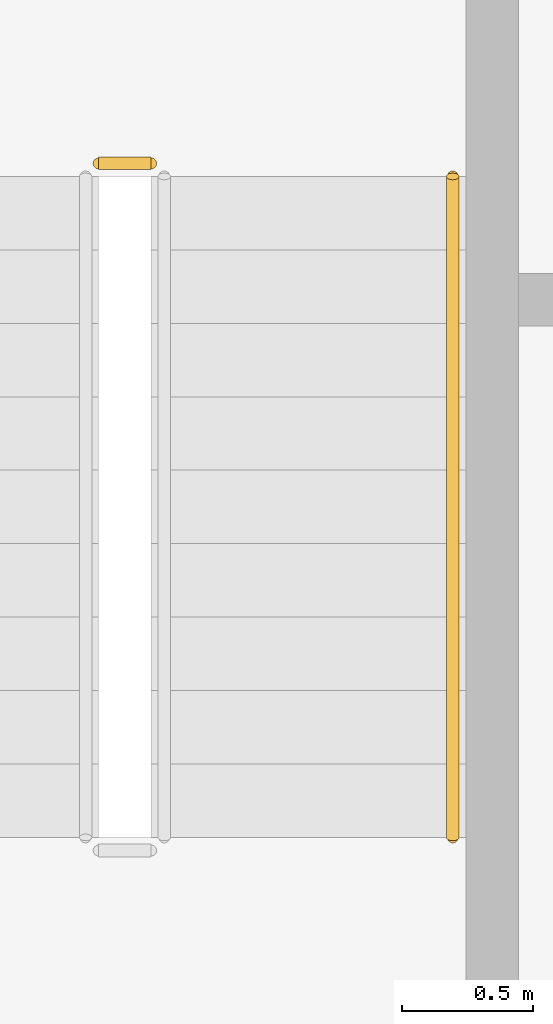
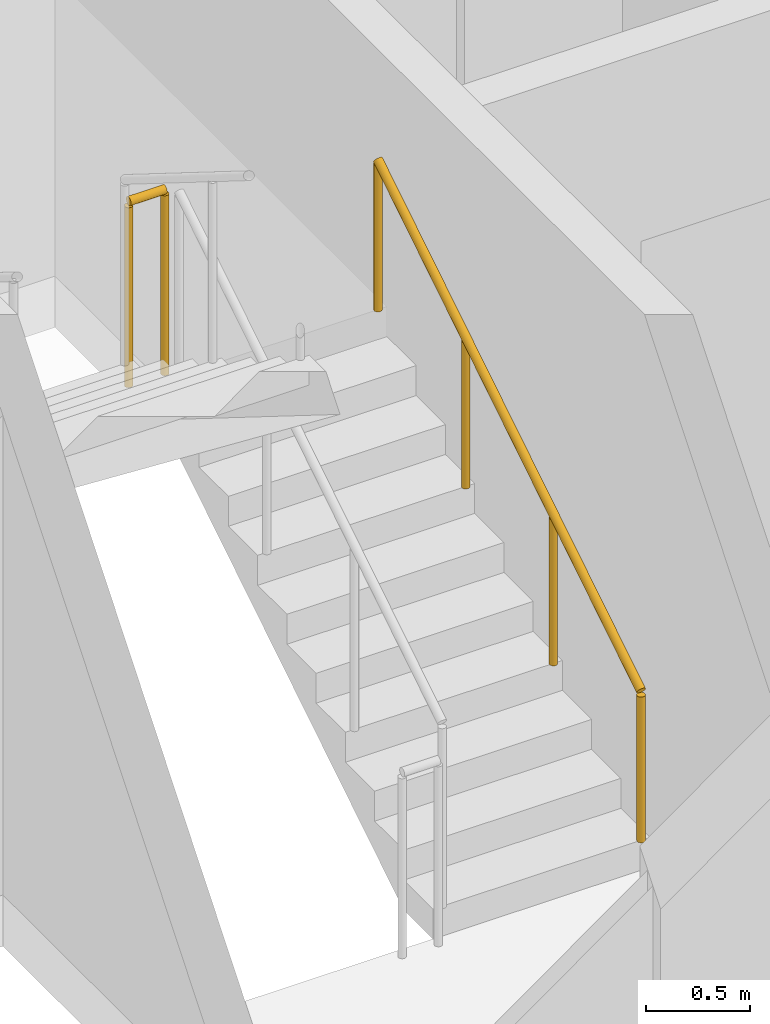
# One storey, part 17 of 22: 2 railings.
"""IFC4 building model written with IfcOpenShell, lengths in metres."""

from ifc_helpers import new_model, si_unit, direction, frame, origin, origin_2d, place, context, subcontext, project, spatial, circle, extrude, material, type_object, element, save


model = new_model("IFC4")

# Units and contexts
model_context = context("Model", 3, precision=1e-05, world=origin(), true_north=direction((0.0, 1.0)))
body_context = subcontext(model_context, "Body", "Model", "MODEL_VIEW")
ifc_project = project(units=[si_unit("LENGTHUNIT", "METRE"), si_unit("AREAUNIT", "SQUARE_METRE"), si_unit("VOLUMEUNIT", "CUBIC_METRE"), si_unit("PLANEANGLEUNIT", "RADIAN"), si_unit("MASSUNIT", "GRAM", prefix="KILO")], contexts=[model_context])

# Site, building, storey
site_placement = place(None, origin())
site = spatial("IfcSite", under=ifc_project, at=site_placement, CompositionType="ELEMENT")
building_placement = place(site_placement, origin())
building = spatial("IfcBuilding", under=site, at=building_placement, Name="Kiln Ring Residences", CompositionType="ELEMENT")
storey_placement = place(building_placement, frame((0.0, 0.0, 146.60009765625)))
storey = spatial("IfcBuildingStorey", under=building, at=storey_placement, Name="L37", CompositionType="ELEMENT", Elevation=146.60009765625)

# Railings
ifc_material_1 = material(Name="Stainless steel", Category="steel")
railing_type_1 = type_object("IfcRailingType", Name="CORE-STAIR-GUARD", PredefinedType="GUARDRAIL", material=ifc_material_1)
railing_1_placement = place(storey_placement, frame((22.199951171875, -5.830078125, 1.75)))
element("IfcRailing", 1, at=railing_1_placement, inside=storey, type_object=railing_type_1, Name="L37 E-STS stair guard 2", PredefinedType="GUARDRAIL", context=body_context, shape_type="SweptSolid", body=[
    extrude(circle(Radius=0.02392578125, at=origin_2d()), frame((0.0, 0.0, 1.076171875), z_axis=(-1.0, 0.0, 0.0), x_axis=(0.0, -1.0, 0.0)), (0.0, 0.0, 1.0), 0.199951171875),
    extrude(circle(Radius=0.02099609375, at=origin_2d()), origin(), (0.0, 0.0, 1.0), 1.052001953125),
    extrude(circle(Radius=0.02099609375, at=origin_2d()), frame((-0.199951171875, 0.0, 0.0)), (0.0, 0.0, 1.0), 1.052001953125),
])
ifc_material_2 = material(Name="Stainless steel", Category="steel")
railing_type_2 = type_object("IfcRailingType", Name="CORE-STAIR-HANDRAIL", PredefinedType="HANDRAIL", material=ifc_material_2)
railing_2_placement = place(storey_placement, frame((23.35009765625, -8.39990234375, 0.1748046875)))
element("IfcRailing", 2, at=railing_2_placement, inside=storey, type_object=railing_type_2, Name="L37 E-STS stair handrail 1", PredefinedType="HANDRAIL", context=body_context, shape_type="SweptSolid", body=[
    extrude(circle(Radius=0.02392578125, at=origin_2d()), frame((0.0, 0.0, 0.8759765625), z_axis=(0.0, 0.847970611238, 0.530043245855), x_axis=(-1.0, 0.0, 0.0)), (0.0, 0.0, 1.0), 2.971923828125),
    extrude(circle(Radius=0.02099609375, at=origin_2d()), origin(), (0.0, 0.0, 1.0), 0.851806640625),
    extrude(circle(Radius=0.02099609375, at=origin_2d()), frame((0.0, 0.840087890625, 0.525146484375)), (0.0, 0.0, 1.0), 0.851806640625),
    extrude(circle(Radius=0.02099609375, at=origin_2d()), frame((0.0, 1.679931640625, 1.050048828125)), (0.0, 0.0, 1.0), 0.851806640625),
    extrude(circle(Radius=0.02099609375, at=origin_2d()), frame((0.0, 2.52001953125, 1.5751953125)), (0.0, 0.0, 1.0), 0.851806640625),
])

save(model, "model.ifc")
